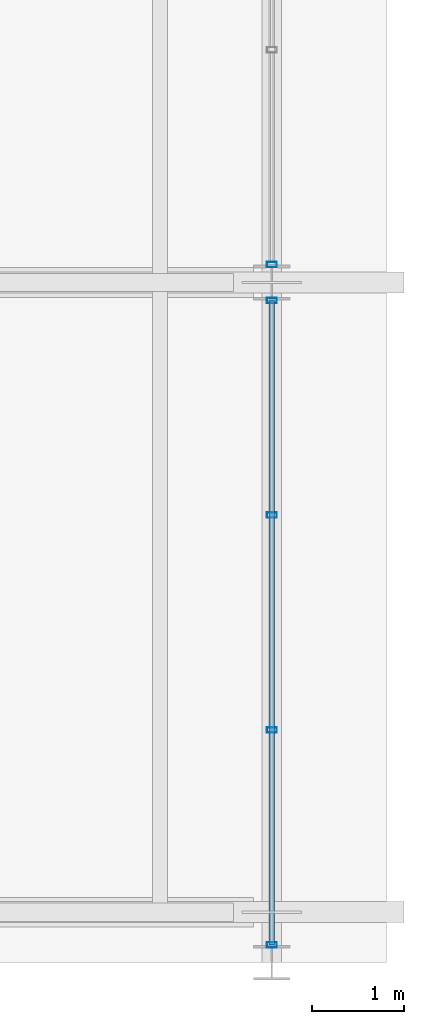
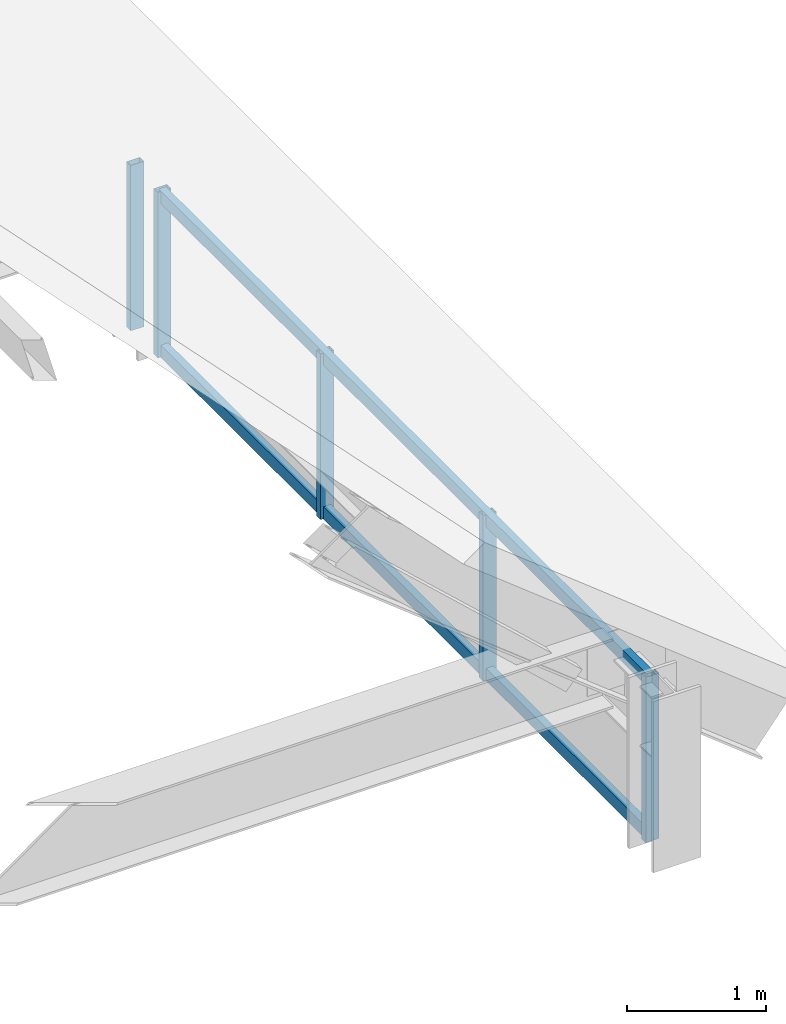
# One storey, part 9 of 44: 7 members, 2 elements without a shape of their own.
"""IFC4 building model written with IfcOpenShell, lengths in metres."""

from ifc_helpers import new_model, si_unit, direction, frame, origin, origin_2d, place, context, subcontext, project, spatial, hollow_rectangle, extrude, material, material_profile, profile_set, type_object, element, aggregate, save


model = new_model("IFC4")

# Units and contexts
model_context = context("Model", 3, precision=1e-05, world=origin(), true_north=direction((0.0, 1.0)))
body_context = subcontext(model_context, "Body", "Model", "MODEL_VIEW")
ifc_project = project(units=[si_unit("LENGTHUNIT", "METRE"), si_unit("AREAUNIT", "SQUARE_METRE"), si_unit("VOLUMEUNIT", "CUBIC_METRE"), si_unit("PLANEANGLEUNIT", "RADIAN"), si_unit("MASSUNIT", "GRAM", prefix="KILO")], contexts=[model_context])

# Site, building, storey
site_placement = place(None, origin())
site = spatial("IfcSite", under=ifc_project, at=site_placement, CompositionType="ELEMENT")
building_placement = place(site_placement, origin())
building = spatial("IfcBuilding", under=site, at=building_placement, Name="Cimatlan Art Gallery", CompositionType="ELEMENT")
storey_placement = place(building_placement, frame((0.0, 0.0, 26.39990234375)))
storey = spatial("IfcBuildingStorey", under=building, at=storey_placement, Name="Roof", CompositionType="ELEMENT", Elevation=26.39990234375)

# Curtain wall, members
ifc_material_1 = material(Name="Anodised bronze unitised curtain wall")
curtain_wall_type = type_object("IfcCurtainWallType", Name="CW-V-07010X01450-B3", PredefinedType="NOTDEFINED", material=ifc_material_1)
curtain_wall_1_placement = place(storey_placement, origin())
curtain_wall_1 = element("IfcCurtainWall", 1, at=curtain_wall_1_placement, inside=storey, type_object=curtain_wall_type, Name="CW-CRW-E-03", PredefinedType="NOTDEFINED")
ifc_material_2 = material(Name="Anodised bronze aluminium 6063-T6", Category="aluminium")
ifc_material_profile_1 = material_profile(ifc_material_2, hollow_rectangle(XDim=0.06005859375, YDim=0.110107421875, WallThickness=0.00341796875, at=origin_2d()), Name="ALU60X110X3")
ifc_profile_set_1 = profile_set([ifc_material_profile_1], Name="Anodised bronze aluminium 6063-T6")
member_type_1 = type_object("IfcMemberType", Name="CW-MUL-110", PredefinedType="MULLION", material=ifc_profile_set_1)
member_1_placement = place(storey_placement, frame((99.199951171875, 31.10498046875, 0.0), z_axis=(0.0, 0.0, 1.0), x_axis=(0.0, 1.0, 0.0)))
member_1 = element("IfcMember", 2, at=member_1_placement, type_object=member_type_1, Name="CW-CRW-E-03-M1", PredefinedType="MULLION", context=body_context, shape_type="SweptSolid", body=[
    extrude(hollow_rectangle(XDim=0.06005859375, YDim=0.110107421875, WallThickness=0.00341796875, at=origin_2d()), origin(), (0.0, 0.0, 1.0), 1.4501953125),
])
member_2_placement = place(storey_placement, frame((99.199951171875, 28.768310546875, 0.0), z_axis=(0.0, 0.0, 1.0), x_axis=(0.0, 1.0, 0.0)))
member_2 = element("IfcMember", 3, at=member_2_placement, type_object=member_type_1, Name="CW-CRW-E-03-M2", PredefinedType="MULLION", context=body_context, shape_type="SweptSolid", body=[
    extrude(hollow_rectangle(XDim=0.06005859375, YDim=0.110107421875, WallThickness=0.00341796875, at=origin_2d()), origin(), (0.0, 0.0, 1.0), 1.4501953125),
])
member_3_placement = place(storey_placement, frame((99.199951171875, 26.431640625, 0.0), z_axis=(0.0, 0.0, 1.0), x_axis=(0.0, 1.0, 0.0)))
member_3 = element("IfcMember", 4, at=member_3_placement, type_object=member_type_1, Name="CW-CRW-E-03-M3", PredefinedType="MULLION", context=body_context, shape_type="SweptSolid", body=[
    extrude(hollow_rectangle(XDim=0.06005859375, YDim=0.110107421875, WallThickness=0.00341796875, at=origin_2d()), origin(), (0.0, 0.0, 1.0), 1.4501953125),
])
member_4_placement = place(storey_placement, frame((99.199951171875, 24.094970703125, 0.0), z_axis=(0.0, 0.0, 1.0), x_axis=(0.0, 1.0, 0.0)))
member_4 = element("IfcMember", 5, at=member_4_placement, type_object=member_type_1, Name="CW-CRW-E-03-M4", PredefinedType="MULLION", context=body_context, shape_type="SweptSolid", body=[
    extrude(hollow_rectangle(XDim=0.06005859375, YDim=0.110107421875, WallThickness=0.00341796875, at=origin_2d()), origin(), (0.0, 0.0, 1.0), 1.4501953125),
])

# Curtain wall, member
curtain_wall_2_placement = place(storey_placement, origin())
curtain_wall_2 = element("IfcCurtainWall", 6, at=curtain_wall_2_placement, inside=storey, type_object=curtain_wall_type, Name="CW-CRW-E-04", PredefinedType="NOTDEFINED")
member_5_placement = place(storey_placement, frame((99.199951171875, 31.4951171875, 0.0), z_axis=(0.0, 0.0, 1.0), x_axis=(0.0, 1.0, 0.0)))
member_5 = element("IfcMember", 7, at=member_5_placement, type_object=member_type_1, Name="CW-CRW-E-04-M4", PredefinedType="MULLION", context=body_context, shape_type="SweptSolid", body=[
    extrude(hollow_rectangle(XDim=0.06005859375, YDim=0.110107421875, WallThickness=0.00341796875, at=origin_2d()), origin(), (0.0, 0.0, 1.0), 1.4501953125),
])
aggregate(curtain_wall_2, [member_5])

# Member
ifc_material_profile_2 = material_profile(ifc_material_2, hollow_rectangle(XDim=0.06005859375, YDim=0.110107421875, WallThickness=0.00341796875, at=origin_2d()), Name="ALU60X110X3")
ifc_profile_set_2 = profile_set([ifc_material_profile_2], Name="Anodised bronze aluminium 6063-T6")
member_type_2 = type_object("IfcMemberType", Name="CW-TRN-110", PredefinedType="USERDEFINED", material=ifc_profile_set_2)
member_6_placement = place(storey_placement, frame((99.199951171875, 31.10498046875, 0.050048828125), z_axis=(0.0, -1.0, 0.0), x_axis=(1.0, 0.0, 0.0)))
member_6 = element("IfcMember", 8, at=member_6_placement, type_object=member_type_2, Name="CW-CRW-E-03-T1", ObjectType="TRANSOM", PredefinedType="USERDEFINED", context=body_context, shape_type="SweptSolid", body=[
    extrude(hollow_rectangle(XDim=0.06005859375, YDim=0.110107421875, WallThickness=0.00341796875, at=origin_2d()), origin(), (0.0, 0.0, 1.0), 7.010009765625),
])

member_7_placement = place(storey_placement, frame((99.199951171875, 31.10498046875, 1.400146484375), z_axis=(0.0, -1.0, 0.0), x_axis=(1.0, 0.0, 0.0)))
member_7 = element("IfcMember", 9, at=member_7_placement, type_object=member_type_2, Name="CW-CRW-E-03-T2", ObjectType="TRANSOM", PredefinedType="USERDEFINED", context=body_context, shape_type="SweptSolid", body=[
    extrude(hollow_rectangle(XDim=0.06005859375, YDim=0.110107421875, WallThickness=0.00341796875, at=origin_2d()), origin(), (0.0, 0.0, 1.0), 7.010009765625),
])

aggregate(curtain_wall_1, [member_1, member_2, member_3, member_4, member_6, member_7])

save(model, "model.ifc")
